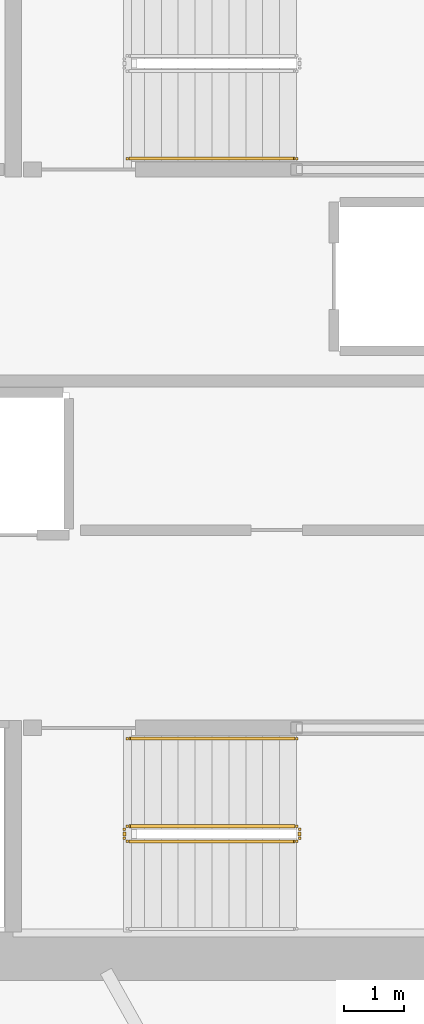
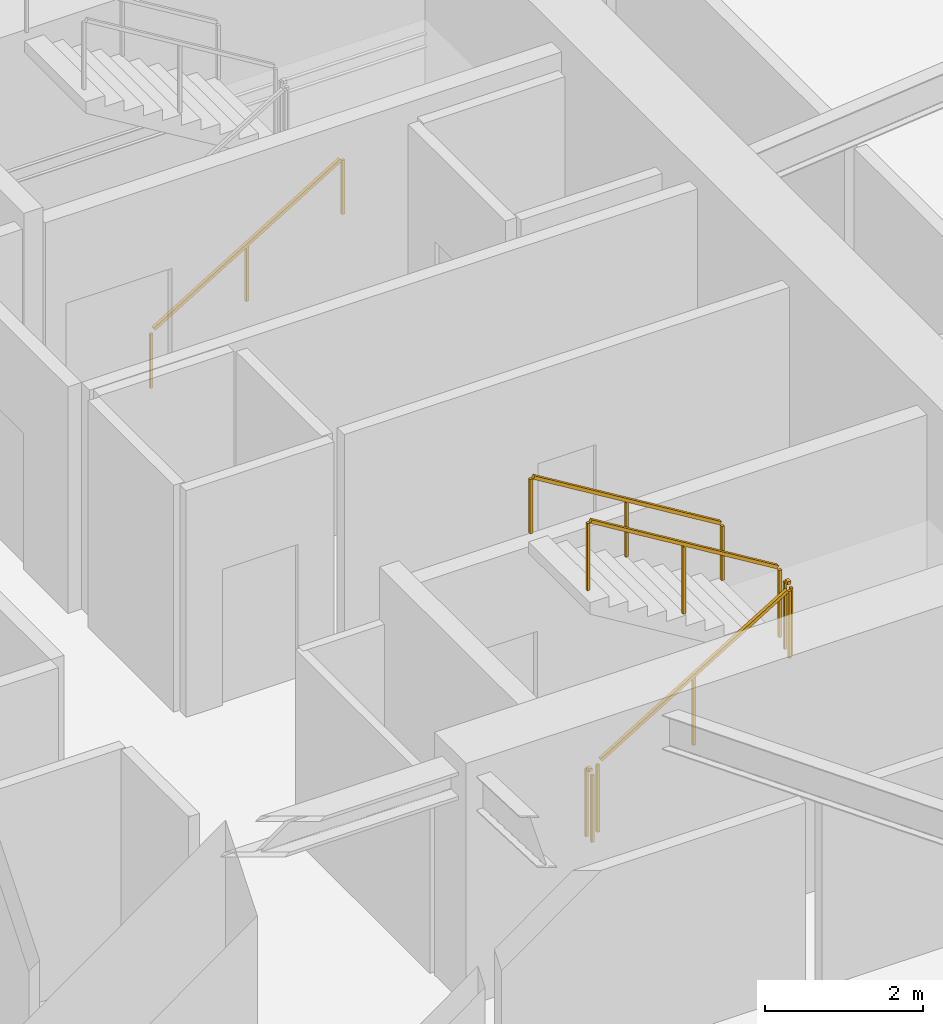
# One storey, part 20 of 23: 6 railings.
"""IFC4 building model written with IfcOpenShell, lengths in metres."""

from ifc_helpers import new_model, si_unit, direction, frame, origin, origin_2d, place, context, subcontext, project, spatial, rectangle, extrude, material, type_object, element, save


model = new_model("IFC4")

# Units and contexts
model_context = context("Model", 3, precision=1e-05, world=origin(), true_north=direction((0.0, 1.0)))
body_context = subcontext(model_context, "Body", "Model", "MODEL_VIEW")
ifc_project = project(units=[si_unit("LENGTHUNIT", "METRE"), si_unit("AREAUNIT", "SQUARE_METRE"), si_unit("VOLUMEUNIT", "CUBIC_METRE"), si_unit("PLANEANGLEUNIT", "RADIAN"), si_unit("MASSUNIT", "GRAM", prefix="KILO")], contexts=[model_context])

# Site, building, storey
site_placement = place(None, origin())
site = spatial("IfcSite", under=ifc_project, at=site_placement, CompositionType="ELEMENT")
building_placement = place(site_placement, origin())
building = spatial("IfcBuilding", under=site, at=building_placement, Name="Kazma Halo Residences", CompositionType="ELEMENT")
storey_placement = place(building_placement, frame((0.0, 0.0, 105.14990234375)))
storey = spatial("IfcBuildingStorey", under=building, at=storey_placement, Name="L26", CompositionType="ELEMENT", Elevation=105.14990234375)

# Railings
ifc_material_1 = material(Name="Painted Steel S355", Category="steel")
railing_type_1 = type_object("IfcRailingType", Name="RLG-STAIR-GRD-1100", PredefinedType="GUARDRAIL", material=ifc_material_1)
railing_1_placement = place(storey_placement, frame((53.199951171875, 35.5, 0.170654296875)))
element("IfcRailing", 1, at=railing_1_placement, inside=storey, type_object=railing_type_1, Name="L26 ST-03 stair guard 1", PredefinedType="GUARDRAIL", context=body_context, shape_type="SweptSolid", body=[
    extrude(rectangle(XDim=0.050048828125, YDim=0.050048828125, at=origin_2d()), frame((0.036376953125, 0.0, 1.09716796875), z_axis=(0.854202870247, 0.0, 0.519939858505), x_axis=(0.0, 1.0, 0.0)), (0.0, 0.0, 1.0), 3.19287109375),
    extrude(rectangle(XDim=0.0400390625, YDim=0.0400390625, at=origin_2d()), origin(), (0.0, 0.0, 1.0), 1.0380859375),
    extrude(rectangle(XDim=0.0400390625, YDim=0.0400390625, at=origin_2d()), frame((1.39990234375, 0.0, 0.85205078125)), (0.0, 0.0, 1.0), 1.0380859375),
    extrude(rectangle(XDim=0.0400390625, YDim=0.0400390625, at=origin_2d()), frame((2.800048828125, 0.0, 1.704345703125)), (0.0, 0.0, 1.0), 1.0380859375),
])
railing_2_placement = place(storey_placement, frame((56.050048828125, 35.550048828125, 1.875)))
element("IfcRailing", 2, at=railing_2_placement, inside=storey, type_object=railing_type_1, Name="L26 ST-03 stair guard 2", PredefinedType="GUARDRAIL", context=body_context, shape_type="SweptSolid", body=[
    extrude(rectangle(XDim=0.050048828125, YDim=0.050048828125, at=origin_2d()), frame((0.0, 0.04248046875, 1.0751953125), z_axis=(0.0, 1.0, 0.0), x_axis=(-1.0, 0.0, 0.0)), (0.0, 0.0, 1.0), 0.06494140625),
    extrude(rectangle(XDim=0.0400390625, YDim=0.0400390625, at=origin_2d()), origin(), (0.0, 0.0, 1.0), 1.0380859375),
    extrude(rectangle(XDim=0.0400390625, YDim=0.0400390625, at=origin_2d()), frame((0.0, 0.14990234375, 0.0)), (0.0, 0.0, 1.0), 1.0380859375),
])
railing_3_placement = place(storey_placement, frame((56.0, 35.75, 2.045654296875)))
element("IfcRailing", 3, at=railing_3_placement, inside=storey, type_object=railing_type_1, Name="L26 ST-03 stair guard 3", PredefinedType="GUARDRAIL", context=body_context, shape_type="SweptSolid", body=[
    extrude(rectangle(XDim=0.050048828125, YDim=0.050048828125, at=origin_2d()), frame((-0.036376953125, 0.0, 1.09716796875), z_axis=(-0.854202870247, 0.0, 0.519939858505), x_axis=(0.0, -1.0, 0.0)), (0.0, 0.0, 1.0), 3.19287109375),
    extrude(rectangle(XDim=0.0400390625, YDim=0.0400390625, at=origin_2d()), origin(), (0.0, 0.0, 1.0), 1.0380859375),
    extrude(rectangle(XDim=0.0400390625, YDim=0.0400390625, at=origin_2d()), frame((-1.39990234375, 0.0, 0.85205078125)), (0.0, 0.0, 1.0), 1.0380859375),
    extrude(rectangle(XDim=0.0400390625, YDim=0.0400390625, at=origin_2d()), frame((-2.800048828125, 0.0, 1.704345703125)), (0.0, 0.0, 1.0), 1.0380859375),
])
railing_4_placement = place(storey_placement, frame((53.14990234375, 35.550048828125, 0.0)))
element("IfcRailing", 4, at=railing_4_placement, inside=storey, type_object=railing_type_1, Name="L26 ST-03 stair guard 4", PredefinedType="GUARDRAIL", context=body_context, shape_type="SweptSolid", body=[
    extrude(rectangle(XDim=0.050048828125, YDim=0.050048828125, at=origin_2d()), frame((0.0, 0.04248046875, 1.0751953125), z_axis=(0.0, 1.0, 0.0), x_axis=(-1.0, 0.0, 0.0)), (0.0, 0.0, 1.0), 0.06494140625),
    extrude(rectangle(XDim=0.0400390625, YDim=0.0400390625, at=origin_2d()), origin(), (0.0, 0.0, 1.0), 1.0380859375),
    extrude(rectangle(XDim=0.0400390625, YDim=0.0400390625, at=origin_2d()), frame((0.0, 0.14990234375, 0.0)), (0.0, 0.0, 1.0), 1.0380859375),
])
ifc_material_2 = material(Name="Brushed Stainless Steel", Category="steel")
railing_type_2 = type_object("IfcRailingType", Name="RLG-STAIR-HND-900", PredefinedType="HANDRAIL", material=ifc_material_2)
railing_5_placement = place(storey_placement, frame((53.199951171875, 46.800048828125, 0.170654296875)))
element("IfcRailing", 5, at=railing_5_placement, inside=storey, type_object=railing_type_2, Name="L26 ST-02 stair handrail 1", PredefinedType="HANDRAIL", context=body_context, shape_type="SweptSolid", body=[
    extrude(rectangle(XDim=0.050048828125, YDim=0.050048828125, at=origin_2d()), frame((0.036376953125, 0.0, 0.89697265625), z_axis=(0.854202870247, 0.0, 0.519939858505), x_axis=(0.0, 1.0, 0.0)), (0.0, 0.0, 1.0), 3.19287109375),
    extrude(rectangle(XDim=0.0400390625, YDim=0.0400390625, at=origin_2d()), origin(), (0.0, 0.0, 1.0), 0.837890625),
    extrude(rectangle(XDim=0.0400390625, YDim=0.0400390625, at=origin_2d()), frame((1.39990234375, 0.0, 0.85205078125)), (0.0, 0.0, 1.0), 0.837890625),
    extrude(rectangle(XDim=0.0400390625, YDim=0.0400390625, at=origin_2d()), frame((2.800048828125, 0.0, 1.704345703125)), (0.0, 0.0, 1.0), 0.837890625),
])
railing_6_placement = place(storey_placement, frame((56.0, 37.199951171875, 2.045654296875)))
element("IfcRailing", 6, at=railing_6_placement, inside=storey, type_object=railing_type_2, Name="L26 ST-03 stair handrail 2", PredefinedType="HANDRAIL", context=body_context, shape_type="SweptSolid", body=[
    extrude(rectangle(XDim=0.050048828125, YDim=0.050048828125, at=origin_2d()), frame((-0.036376953125, 0.0, 0.89697265625), z_axis=(-0.854202870247, 0.0, 0.519939858505), x_axis=(0.0, -1.0, 0.0)), (0.0, 0.0, 1.0), 3.19287109375),
    extrude(rectangle(XDim=0.0400390625, YDim=0.0400390625, at=origin_2d()), origin(), (0.0, 0.0, 1.0), 0.837890625),
    extrude(rectangle(XDim=0.0400390625, YDim=0.0400390625, at=origin_2d()), frame((-1.39990234375, 0.0, 0.85205078125)), (0.0, 0.0, 1.0), 0.837890625),
    extrude(rectangle(XDim=0.0400390625, YDim=0.0400390625, at=origin_2d()), frame((-2.800048828125, 0.0, 1.704345703125)), (0.0, 0.0, 1.0), 0.837890625),
])

save(model, "model.ifc")
